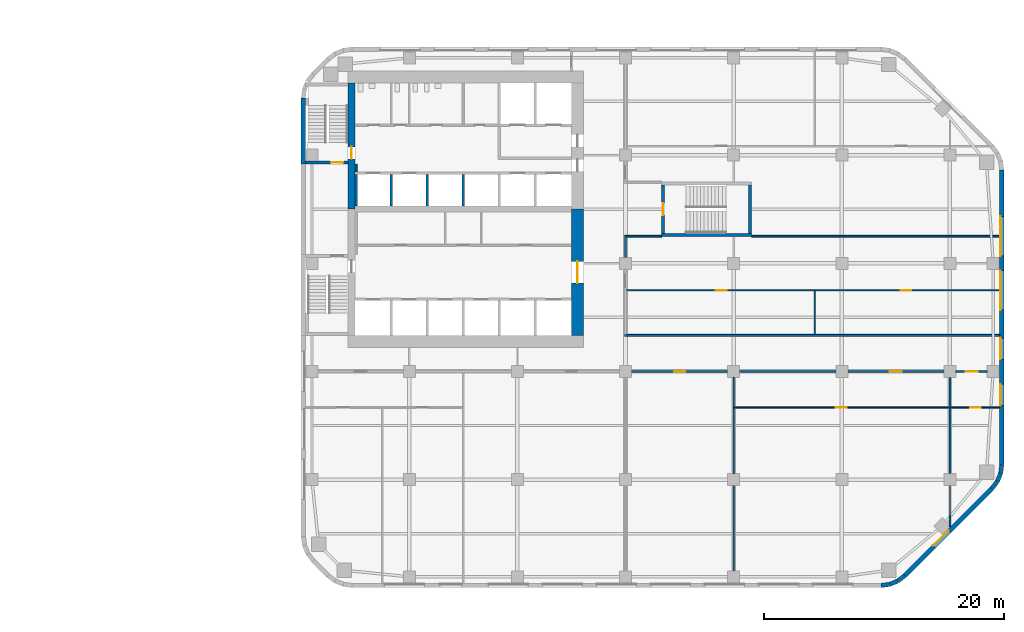
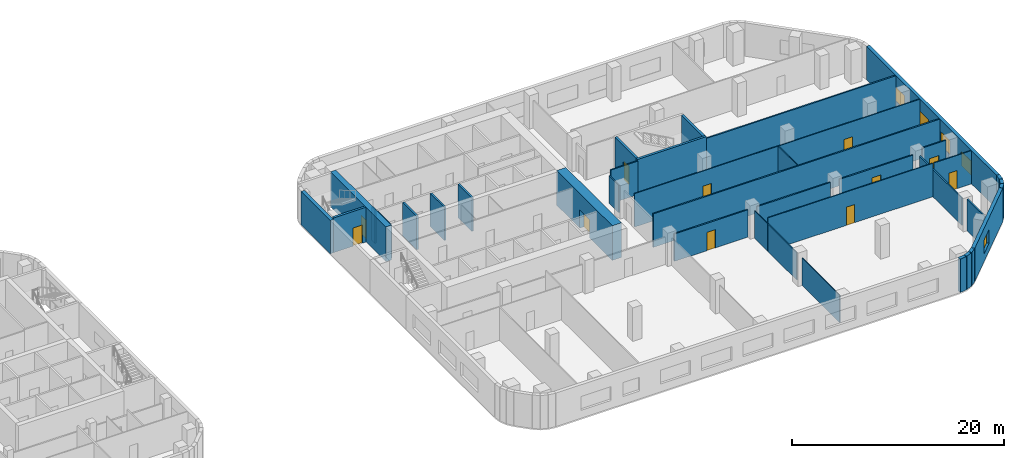
# One storey, part 10 of 16: 37 walls, 11 doors, 5 windows, 16 openings.
"""IFC4 building model written with IfcOpenShell, lengths in metres."""

from ifc_helpers import new_model, si_unit, direction, frame, frame_2d, origin, place, context, subcontext, project, spatial, rectangle, extrude, material, layer, layer_set, type_object, element, fill, save


model = new_model("IFC4")

# Units and contexts
model_context = context("Model", 3, precision=1e-05, world=origin(), true_north=direction((0.0, 1.0)))
body_context = subcontext(model_context, "Body", "Model", "MODEL_VIEW")
ifc_project = project(units=[si_unit("LENGTHUNIT", "METRE"), si_unit("AREAUNIT", "SQUARE_METRE"), si_unit("VOLUMEUNIT", "CUBIC_METRE"), si_unit("PLANEANGLEUNIT", "RADIAN"), si_unit("MASSUNIT", "GRAM", prefix="KILO")], contexts=[model_context])

# Site, building, storey
site_placement = place(None, origin())
site = spatial("IfcSite", under=ifc_project, at=site_placement, CompositionType="ELEMENT")
building_placement = place(site_placement, origin())
building = spatial("IfcBuilding", under=site, at=building_placement, Name="Cinnabar Reach Civic Tower", CompositionType="ELEMENT")
storey_placement = place(building_placement, frame((0.0, 0.0, 79.0)))
storey = spatial("IfcBuildingStorey", under=building, at=storey_placement, Name="L18", CompositionType="ELEMENT", Elevation=79.0)

# Walls
ifc_material_1 = material(Name="Facing brick with insulated backing", Category="masonry")
ifc_layer_1 = layer(ifc_material_1, 0.36)
ifc_layer_set_1 = layer_set([ifc_layer_1], Name="Brick corner wall")
wall_type_1 = type_object("IfcWallType", Name="Brick corner wall", PredefinedType="STANDARD", material=ifc_layer_set_1)
for number, where, z_axis, x_axis, name in (
    (1, (48.2686, 0.183, 0.0), (0.0, 0.0, 1.0), (0.99144092581, 0.13055608231, 0.0), "Brick corner wall"),
    (2, (48.9973, 0.2819, 0.0), (0.0, 0.0, 1.0), (0.923871547278, 0.382702709855, 0.0), "Brick corner wall"),
):
    element("IfcWall", number, at=place(storey_placement, frame(where, z_axis=z_axis, x_axis=x_axis)), inside=storey, type_object=wall_type_1, Name=name, PredefinedType="STANDARD", context=body_context, shape_type="SweptSolid", body=[
        extrude(rectangle(XDim=0.7131, YDim=0.36, at=frame_2d((0.3565, 0.0))), origin(), (0.0, 0.0, 1.0), 3.85),
    ])
for number, where, z_axis, x_axis, name in (
    (3, (49.6755, 0.566, 0.0), (0.0, 0.0, 1.0), (0.793321924995, 0.608802368033, 0.0), "Brick corner wall"),
    (4, (57.4998, 8.2587, 0.0), (0.0, 0.0, 1.0), (0.608802368033, 0.793321924995, 0.0), "Brick corner wall"),
):
    element("IfcWall", number, at=place(storey_placement, frame(where, z_axis=z_axis, x_axis=x_axis)), inside=storey, type_object=wall_type_1, Name=name, PredefinedType="STANDARD", context=body_context, shape_type="SweptSolid", body=[
        extrude(rectangle(XDim=0.7132, YDim=0.36, at=frame_2d((0.3566, 0.0))), origin(), (0.0, 0.0, 1.0), 3.85),
    ])
for number, where, z_axis, x_axis, name in (
    (5, (57.9452, 8.8439, 0.0), (0.0, 0.0, 1.0), (0.382702709855, 0.923871547278, 0.0), "Brick corner wall"),
    (6, (58.2239, 9.5244, 0.0), (0.0, 0.0, 1.0), (0.13055608231, 0.99144092581, 0.0), "Brick corner wall"),
):
    element("IfcWall", number, at=place(storey_placement, frame(where, z_axis=z_axis, x_axis=x_axis)), inside=storey, type_object=wall_type_1, Name=name, PredefinedType="STANDARD", context=body_context, shape_type="SweptSolid", body=[
        extrude(rectangle(XDim=0.7131, YDim=0.36, at=frame_2d((0.3565, 0.0))), origin(), (0.0, 0.0, 1.0), 3.85),
    ])

# Wall, opening, window
ifc_layer_2 = layer(ifc_material_1, 0.36)
ifc_layer_set_2 = layer_set([ifc_layer_2], Name="Brick pier and spandrel wall")
wall_type_2 = type_object("IfcWallType", Name="Brick pier and spandrel wall", PredefinedType="STANDARD", material=ifc_layer_set_2)
wall_1_placement = place(storey_placement, frame((50.2514, 1.006, 0.0), z_axis=(0.0, 0.0, 1.0), x_axis=(0.707106781187, 0.707106781187, 0.0)))
wall_1 = element("IfcWall", 7, at=wall_1_placement, inside=storey, type_object=wall_type_2, Name="Brick facade wall", PredefinedType="STANDARD", context=body_context, shape_type="SweptSolid", body=[
    extrude(rectangle(XDim=10.2426, YDim=0.36, at=frame_2d((5.1213, 0.0))), origin(), (0.0, 0.0, 1.0), 3.85),
])
opening_1_placement = place(wall_1_placement, frame((3.4213, 0.0, 0.9)))
opening_1 = element("IfcOpeningElement", 8, at=opening_1_placement, cuts=wall_1, Name="Opening W1357", PredefinedType="OPENING", context=body_context, shape_type="SweptSolid", body=[
    extrude(rectangle(XDim=1.8, YDim=1.6, at=frame_2d((0.9, 0.8))), frame((0.0, 0.19, 0.0), z_axis=(0.0, -1.0, 0.0), x_axis=(1.0, 0.0, 0.0)), (0.0, 0.0, 1.0), 0.38),
])
ifc_material_2 = material(Name="Clear double glazing in aluminium frame", Category="aluminium")
window_type_1 = type_object("IfcWindowType", Name="Deep-set window D", PartitioningType="SINGLE_PANEL", PredefinedType="WINDOW", material=ifc_material_2)
window_1_placement = place(opening_1_placement, origin())
window_1 = element("IfcWindow", 9, at=window_1_placement, inside=storey, type_object=window_type_1, Name="Window southeast face", OverallHeight=1.6, OverallWidth=1.8, PartitioningType="SINGLE_PANEL", PredefinedType="WINDOW", context=body_context, shape_type="SweptSolid", body=[
    extrude(rectangle(XDim=1.8, YDim=1.6, at=frame_2d((0.9, 0.8))), frame((0.0, 0.13, 0.0), z_axis=(0.0, -1.0, 0.0), x_axis=(1.0, 0.0, 0.0)), (0.0, 0.0, 1.0), 0.06),
])
fill(opening_1, window_1)

# Wall, openings, windows
wall_2_placement = place(storey_placement, frame((58.32, 10.2426, 0.0), z_axis=(0.0, 0.0, 1.0), x_axis=(0.0, 1.0, 0.0)))
wall_2 = element("IfcWall", 10, at=wall_2_placement, inside=storey, type_object=wall_type_2, Name="Brick facade wall", PredefinedType="STANDARD", context=body_context, shape_type="SweptSolid", body=[
    extrude(rectangle(XDim=24.5148, YDim=0.36, at=frame_2d((12.2574, 0.0))), origin(), (0.0, 0.0, 1.0), 3.85),
])
opening_2_placement = place(wall_2_placement, frame((4.9074, 0.0, 0.9)))
opening_2 = element("IfcOpeningElement", 11, at=opening_2_placement, cuts=wall_2, Name="Opening W1358", PredefinedType="OPENING", context=body_context, shape_type="SweptSolid", body=[
    extrude(rectangle(XDim=1.8, YDim=1.6, at=frame_2d((0.9, 0.8))), frame((0.0, 0.19, 0.0), z_axis=(0.0, -1.0, 0.0), x_axis=(1.0, 0.0, 0.0)), (0.0, 0.0, 1.0), 0.38),
])
opening_3_placement = place(wall_2_placement, frame((8.7574, 0.0, 0.9)))
opening_3 = element("IfcOpeningElement", 12, at=opening_3_placement, cuts=wall_2, Name="Opening W1359", PredefinedType="OPENING", context=body_context, shape_type="SweptSolid", body=[
    extrude(rectangle(XDim=1.8, YDim=1.6, at=frame_2d((0.9, 0.8))), frame((0.0, 0.19, 0.0), z_axis=(0.0, -1.0, 0.0), x_axis=(1.0, 0.0, 0.0)), (0.0, 0.0, 1.0), 0.38),
])
opening_4_placement = place(wall_2_placement, frame((12.8574, 0.0, 0.9)))
opening_4 = element("IfcOpeningElement", 13, at=opening_4_placement, cuts=wall_2, Name="Opening W1360", PredefinedType="OPENING", context=body_context, shape_type="SweptSolid", body=[
    extrude(rectangle(XDim=3.3, YDim=1.6, at=frame_2d((1.65, 0.8))), frame((0.0, 0.19, 0.0), z_axis=(0.0, -1.0, 0.0), x_axis=(1.0, 0.0, 0.0)), (0.0, 0.0, 1.0), 0.38),
])
opening_5_placement = place(wall_2_placement, frame((17.3574, 0.0, 0.9)))
opening_5 = element("IfcOpeningElement", 14, at=opening_5_placement, cuts=wall_2, Name="Opening W1361", PredefinedType="OPENING", context=body_context, shape_type="SweptSolid", body=[
    extrude(rectangle(XDim=3.3, YDim=1.6, at=frame_2d((1.65, 0.8))), frame((0.0, 0.19, 0.0), z_axis=(0.0, -1.0, 0.0), x_axis=(1.0, 0.0, 0.0)), (0.0, 0.0, 1.0), 0.38),
])
window_type_2 = type_object("IfcWindowType", Name="Deep-set window A", PartitioningType="SINGLE_PANEL", PredefinedType="WINDOW", material=ifc_material_2)
window_2_placement = place(opening_4_placement, origin())
window_2 = element("IfcWindow", 15, at=window_2_placement, inside=storey, type_object=window_type_2, Name="Window east face", OverallHeight=1.6, OverallWidth=3.3, PartitioningType="SINGLE_PANEL", PredefinedType="WINDOW", context=body_context, shape_type="SweptSolid", body=[
    extrude(rectangle(XDim=3.3, YDim=1.6, at=frame_2d((1.65, 0.8))), frame((0.0, 0.13, 0.0), z_axis=(0.0, -1.0, 0.0), x_axis=(1.0, 0.0, 0.0)), (0.0, 0.0, 1.0), 0.06),
])
fill(opening_4, window_2)
window_3_placement = place(opening_5_placement, origin())
window_3 = element("IfcWindow", 16, at=window_3_placement, inside=storey, type_object=window_type_2, Name="Window east face", OverallHeight=1.6, OverallWidth=3.3, PartitioningType="SINGLE_PANEL", PredefinedType="WINDOW", context=body_context, shape_type="SweptSolid", body=[
    extrude(rectangle(XDim=3.3, YDim=1.6, at=frame_2d((1.65, 0.8))), frame((0.0, 0.13, 0.0), z_axis=(0.0, -1.0, 0.0), x_axis=(1.0, 0.0, 0.0)), (0.0, 0.0, 1.0), 0.06),
])
fill(opening_5, window_3)
window_4_placement = place(opening_2_placement, origin())
window_4 = element("IfcWindow", 17, at=window_4_placement, inside=storey, type_object=window_type_1, Name="Window east face", OverallHeight=1.6, OverallWidth=1.8, PartitioningType="SINGLE_PANEL", PredefinedType="WINDOW", context=body_context, shape_type="SweptSolid", body=[
    extrude(rectangle(XDim=1.8, YDim=1.6, at=frame_2d((0.9, 0.8))), frame((0.0, 0.13, 0.0), z_axis=(0.0, -1.0, 0.0), x_axis=(1.0, 0.0, 0.0)), (0.0, 0.0, 1.0), 0.06),
])
fill(opening_2, window_4)
window_5_placement = place(opening_3_placement, origin())
window_5 = element("IfcWindow", 18, at=window_5_placement, inside=storey, type_object=window_type_1, Name="Window east face", OverallHeight=1.6, OverallWidth=1.8, PartitioningType="SINGLE_PANEL", PredefinedType="WINDOW", context=body_context, shape_type="SweptSolid", body=[
    extrude(rectangle(XDim=1.8, YDim=1.6, at=frame_2d((0.9, 0.8))), frame((0.0, 0.13, 0.0), z_axis=(0.0, -1.0, 0.0), x_axis=(1.0, 0.0, 0.0)), (0.0, 0.0, 1.0), 0.06),
])
fill(opening_3, window_5)

# Wall
wall_3_placement = place(storey_placement, frame((0.18, 40.7574, 0.0), z_axis=(0.0, 0.0, 1.0), x_axis=(0.0, -1.0, 0.0)))
element("IfcWall", 19, at=wall_3_placement, inside=storey, type_object=wall_type_2, Name="Brick facade wall", PredefinedType="STANDARD", context=body_context, shape_type="SweptSolid", body=[
    extrude(rectangle(XDim=5.5074, YDim=0.36, at=frame_2d((2.7537, 0.0))), origin(), (0.0, 0.0, 1.0), 3.85),
])

# Wall, opening, door
ifc_material_3 = material(Name="Concrete C70", Category="concrete")
ifc_layer_3 = layer(ifc_material_3, 1.0)
ifc_layer_set_3 = layer_set([ifc_layer_3], Name="Core wall 1000 EI 180")
wall_type_3 = type_object("IfcWallType", Name="Core wall 1000 EI 180", PredefinedType="SOLIDWALL", material=ifc_layer_set_3)
wall_4_placement = place(storey_placement, frame((23.0, 21.0, 0.0), z_axis=(0.0, 0.0, 1.0), x_axis=(0.0, 1.0, 0.0)))
wall_4 = element("IfcWall", 20, at=wall_4_placement, inside=storey, type_object=wall_type_3, Name="Core wall T1 L18 E", PredefinedType="SOLIDWALL", context=body_context, shape_type="SweptSolid", body=[
    extrude(rectangle(XDim=10.5, YDim=1.0, at=frame_2d((5.25, 0.0))), origin(), (0.0, 0.0, 1.0), 4.0),
])
opening_6_placement = place(wall_4_placement, frame((4.35, 0.0, 0.0)))
opening_6 = element("IfcOpeningElement", 21, at=opening_6_placement, cuts=wall_4, Name="Opening D3726", PredefinedType="OPENING", context=body_context, shape_type="SweptSolid", body=[
    extrude(rectangle(XDim=1.8, YDim=2.1, at=frame_2d((0.9, 1.05))), frame((0.0, 0.51, 0.0), z_axis=(0.0, -1.0, 0.0), x_axis=(1.0, 0.0, 0.0)), (0.0, 0.0, 1.0), 1.02),
])
ifc_material_4 = material(Name="Timber door leaf in steel frame", Category="steel")
door_type_1 = type_object("IfcDoorType", Name="Double swing door 1800 x 2100 T1", OperationType="DOUBLE_DOOR_DOUBLE_SWING", PredefinedType="DOOR", material=ifc_material_4)
door_1_placement = place(opening_6_placement, origin())
door_1 = element("IfcDoor", 22, at=door_1_placement, inside=storey, type_object=door_type_1, Name="Door D3726", OperationType="DOUBLE_DOOR_DOUBLE_SWING", OverallHeight=2.1, OverallWidth=1.8, PredefinedType="DOOR", context=body_context, shape_type="SweptSolid", body=[
    extrude(rectangle(XDim=1.8, YDim=2.1, at=frame_2d((0.9, 1.05))), frame((0.0, 0.025, 0.0), z_axis=(0.0, -1.0, 0.0), x_axis=(1.0, 0.0, 0.0)), (0.0, 0.0, 1.0), 0.05),
])
fill(opening_6, door_1)

ifc_layer_4 = layer(ifc_material_3, 0.6)
ifc_layer_set_4 = layer_set([ifc_layer_4], Name="Core wall 600 EI 180")
wall_type_4 = type_object("IfcWallType", Name="Core wall 600 EI 180", PredefinedType="SOLIDWALL", material=ifc_layer_set_4)
wall_5_placement = place(storey_placement, frame((4.2, 42.0, 0.0), z_axis=(0.0, 0.0, 1.0), x_axis=(0.0, -1.0, 0.0)))
wall_5 = element("IfcWall", 23, at=wall_5_placement, inside=storey, type_object=wall_type_4, Name="Core wall T1 L18 W", PredefinedType="SOLIDWALL", context=body_context, shape_type="SweptSolid", body=[
    extrude(rectangle(XDim=10.5, YDim=0.6, at=frame_2d((5.25, 0.0))), origin(), (0.0, 0.0, 1.0), 4.0),
])
opening_7_placement = place(wall_5_placement, frame((5.3, 0.0, 0.0)))
opening_7 = element("IfcOpeningElement", 24, at=opening_7_placement, cuts=wall_5, Name="Opening D3712", PredefinedType="OPENING", context=body_context, shape_type="SweptSolid", body=[
    extrude(rectangle(XDim=1.0, YDim=2.1, at=frame_2d((0.5, 1.05))), frame((0.0, 0.31, 0.0), z_axis=(0.0, -1.0, 0.0), x_axis=(1.0, 0.0, 0.0)), (0.0, 0.0, 1.0), 0.62),
])
door_type_2 = type_object("IfcDoorType", Name="Stair door 1000 x 2100 T1", OperationType="SINGLE_SWING_LEFT", PredefinedType="DOOR", material=ifc_material_4)
door_2_placement = place(opening_7_placement, frame((1.0, 0.0, 0.0), z_axis=(0.0, 0.0, 1.0), x_axis=(-1.0, 0.0, 0.0)))
door_2 = element("IfcDoor", 25, at=door_2_placement, inside=storey, type_object=door_type_2, Name="Door D3712", OperationType="SINGLE_SWING_LEFT", OverallHeight=2.1, OverallWidth=1.0, PredefinedType="DOOR", context=body_context, shape_type="SweptSolid", body=[
    extrude(rectangle(XDim=1.0, YDim=2.1, at=frame_2d((0.5, 1.05))), frame((0.0, 0.025, 0.0), z_axis=(0.0, -1.0, 0.0), x_axis=(1.0, 0.0, 0.0)), (0.0, 0.0, 1.0), 0.05),
])
fill(opening_7, door_2)

ifc_material_5 = material(Name="Gypsum board on steel studs, double layer", Category="steel")
ifc_layer_5 = layer(ifc_material_5, 0.15)
ifc_layer_set_5 = layer_set([ifc_layer_5], Name="Corridor wall 150 T1")
wall_type_5 = type_object("IfcWallType", Name="Corridor wall 150 T1", PredefinedType="PARTITIONING", material=ifc_layer_set_5)
wall_6_placement = place(storey_placement, frame((54.5, 18.0, 0.0), z_axis=(0.0, 0.0, 1.0), x_axis=(1.0, 0.0, 0.0)))
wall_6 = element("IfcWall", 26, at=wall_6_placement, inside=storey, type_object=wall_type_5, Name="Corridor wall 19", PredefinedType="PARTITIONING", context=body_context, shape_type="SweptSolid", body=[
    extrude(rectangle(XDim=2.6, YDim=0.15, at=frame_2d((1.3, 0.0))), origin(), (0.0, 0.0, 1.0), 3.602),
])
opening_8_placement = place(wall_6_placement, frame((0.8, 0.0, 0.0)))
opening_8 = element("IfcOpeningElement", 27, at=opening_8_placement, cuts=wall_6, Name="Opening D3750", PredefinedType="OPENING", context=body_context, shape_type="SweptSolid", body=[
    extrude(rectangle(XDim=1.0, YDim=2.1, at=frame_2d((0.5, 1.05))), frame((0.0, 0.085, 0.0), z_axis=(0.0, -1.0, 0.0), x_axis=(1.0, 0.0, 0.0)), (0.0, 0.0, 1.0), 0.17),
])
door_type_3 = type_object("IfcDoorType", Name="Tenancy entrance door 1000 x 2100 T1", OperationType="SINGLE_SWING_LEFT", PredefinedType="DOOR", material=ifc_material_4)
door_3_placement = place(opening_8_placement, frame((1.0, 0.0, 0.0), z_axis=(0.0, 0.0, 1.0), x_axis=(-1.0, 0.0, 0.0)))
door_3 = element("IfcDoor", 28, at=door_3_placement, inside=storey, type_object=door_type_3, Name="Door D3750", OperationType="SINGLE_SWING_LEFT", OverallHeight=2.1, OverallWidth=1.0, PredefinedType="DOOR", context=body_context, shape_type="SweptSolid", body=[
    extrude(rectangle(XDim=1.0, YDim=2.1, at=frame_2d((0.5, 1.05))), frame((0.0, 0.025, 0.0), z_axis=(0.0, -1.0, 0.0), x_axis=(1.0, 0.0, 0.0)), (0.0, 0.0, 1.0), 0.05),
])
fill(opening_8, door_3)

wall_7_placement = place(storey_placement, frame((45.5, 18.0, 0.0), z_axis=(0.0, 0.0, 1.0), x_axis=(1.0, 0.0, 0.0)))
wall_7 = element("IfcWall", 29, at=wall_7_placement, inside=storey, type_object=wall_type_5, Name="Corridor wall 20", PredefinedType="PARTITIONING", context=body_context, shape_type="SweptSolid", body=[
    extrude(rectangle(XDim=8.0, YDim=0.15, at=frame_2d((4.0, 0.0))), origin(), (0.0, 0.0, 1.0), 3.15),
])
opening_9_placement = place(wall_7_placement, frame((3.5, 0.0, 0.0)))
opening_9 = element("IfcOpeningElement", 30, at=opening_9_placement, cuts=wall_7, Name="Opening D3748", PredefinedType="OPENING", context=body_context, shape_type="SweptSolid", body=[
    extrude(rectangle(XDim=1.0, YDim=2.1, at=frame_2d((0.5, 1.05))), frame((0.0, 0.085, 0.0), z_axis=(0.0, -1.0, 0.0), x_axis=(1.0, 0.0, 0.0)), (0.0, 0.0, 1.0), 0.17),
])
door_4_placement = place(opening_9_placement, frame((1.0, 0.0, 0.0), z_axis=(0.0, 0.0, 1.0), x_axis=(-1.0, 0.0, 0.0)))
door_4 = element("IfcDoor", 31, at=door_4_placement, inside=storey, type_object=door_type_3, Name="Door D3748", OperationType="SINGLE_SWING_LEFT", OverallHeight=2.1, OverallWidth=1.0, PredefinedType="DOOR", context=body_context, shape_type="SweptSolid", body=[
    extrude(rectangle(XDim=1.0, YDim=2.1, at=frame_2d((0.5, 1.05))), frame((0.0, 0.025, 0.0), z_axis=(0.0, -1.0, 0.0), x_axis=(1.0, 0.0, 0.0)), (0.0, 0.0, 1.0), 0.05),
])
fill(opening_9, door_4)

# Wall
wall_8_placement = place(storey_placement, frame((36.5, 18.0, 0.0), z_axis=(0.0, 0.0, 1.0), x_axis=(1.0, 0.0, 0.0)))
element("IfcWall", 32, at=wall_8_placement, inside=storey, type_object=wall_type_5, Name="Corridor wall 21", PredefinedType="PARTITIONING", context=body_context, shape_type="SweptSolid", body=[
    extrude(rectangle(XDim=8.0, YDim=0.15, at=frame_2d((4.0, 0.0))), origin(), (0.0, 0.0, 1.0), 3.15),
])

# Wall, opening, door
wall_9_placement = place(storey_placement, frame((27.5, 18.0, 0.0), z_axis=(0.0, 0.0, 1.0), x_axis=(1.0, 0.0, 0.0)))
wall_9 = element("IfcWall", 33, at=wall_9_placement, inside=storey, type_object=wall_type_5, Name="Corridor wall 22", PredefinedType="PARTITIONING", context=body_context, shape_type="SweptSolid", body=[
    extrude(rectangle(XDim=8.0, YDim=0.15, at=frame_2d((4.0, 0.0))), origin(), (0.0, 0.0, 1.0), 3.15),
])
opening_10_placement = place(wall_9_placement, frame((3.55, 0.0, 0.0)))
opening_10 = element("IfcOpeningElement", 34, at=opening_10_placement, cuts=wall_9, Name="Opening D3747", PredefinedType="OPENING", context=body_context, shape_type="SweptSolid", body=[
    extrude(rectangle(XDim=0.9, YDim=2.1, at=frame_2d((0.45, 1.05))), frame((0.0, 0.085, 0.0), z_axis=(0.0, -1.0, 0.0), x_axis=(1.0, 0.0, 0.0)), (0.0, 0.0, 1.0), 0.17),
])
door_type_4 = type_object("IfcDoorType", Name="Single swing door 900 x 2100 corridor T1", OperationType="SINGLE_SWING_LEFT", PredefinedType="DOOR", material=ifc_material_4)
door_5_placement = place(opening_10_placement, frame((0.9, 0.0, 0.0), z_axis=(0.0, 0.0, 1.0), x_axis=(-1.0, 0.0, 0.0)))
door_5 = element("IfcDoor", 35, at=door_5_placement, inside=storey, type_object=door_type_4, Name="Door D3747", OperationType="SINGLE_SWING_LEFT", OverallHeight=2.1, OverallWidth=0.9, PredefinedType="DOOR", context=body_context, shape_type="SweptSolid", body=[
    extrude(rectangle(XDim=0.9, YDim=2.1, at=frame_2d((0.45, 1.05))), frame((0.0, 0.025, 0.0), z_axis=(0.0, -1.0, 0.0), x_axis=(1.0, 0.0, 0.0)), (0.0, 0.0, 1.0), 0.05),
])
fill(opening_10, door_5)

# Walls
wall_10_placement = place(storey_placement, frame((26.925, 21.0, 0.0), z_axis=(0.0, 0.0, 1.0), x_axis=(1.0, 0.0, 0.0)))
element("IfcWall", 36, at=wall_10_placement, inside=storey, type_object=wall_type_5, Name="Corridor wall 26", PredefinedType="PARTITIONING", context=body_context, shape_type="SweptSolid", body=[
    extrude(rectangle(XDim=31.215, YDim=0.15, at=frame_2d((15.6075, 0.0))), origin(), (0.0, 0.0, 1.0), 3.85),
])
wall_11_placement = place(storey_placement, frame((27.0, 27.5, 0.0), z_axis=(0.0, 0.0, 1.0), x_axis=(0.0, 1.0, 0.0)))
element("IfcWall", 37, at=wall_11_placement, inside=storey, type_object=wall_type_5, Name="Corridor wall 32", PredefinedType="PARTITIONING", context=body_context, shape_type="SweptSolid", body=[
    extrude(rectangle(XDim=1.825, YDim=0.15, at=frame_2d((0.9125, 0.0))), origin(), (0.0, 0.0, 1.0), 3.158),
])
wall_12_placement = place(storey_placement, frame((27.075, 29.25, 0.0), z_axis=(0.0, 0.0, 1.0), x_axis=(1.0, 0.0, 0.0)))
element("IfcWall", 38, at=wall_12_placement, inside=storey, type_object=wall_type_5, Name="Corridor wall 35", PredefinedType="PARTITIONING", context=body_context, shape_type="SweptSolid", body=[
    extrude(rectangle(XDim=2.925, YDim=0.15, at=frame_2d((1.4625, 0.0))), origin(), (0.0, 0.0, 1.0), 3.85),
])
wall_13_placement = place(storey_placement, frame((4.575, 34.6, 0.0), z_axis=(0.0, 0.0, 1.0), x_axis=(0.0, 1.0, 0.0)))
element("IfcWall", 39, at=wall_13_placement, inside=storey, type_object=wall_type_5, Name="Corridor wall 38", PredefinedType="PARTITIONING", context=body_context, shape_type="SweptSolid", body=[
    extrude(rectangle(XDim=0.65, YDim=0.15, at=frame_2d((0.325, 0.0))), origin(), (0.0, 0.0, 1.0), 3.85),
])
ifc_material_6 = material(Name="Blockwork", Category="masonry")
ifc_layer_6 = layer(ifc_material_6, 0.2)
ifc_layer_set_6 = layer_set([ifc_layer_6], Name="Lift shaft wall 200 T1")
wall_type_6 = type_object("IfcWallType", Name="Lift shaft wall 200 T1", PredefinedType="PARTITIONING", material=ifc_layer_set_6)
for number, where, z_axis, x_axis, name in (
    (40, (4.6, 31.75, 0.0), (0.0, 0.0, 1.0), (0.0, 1.0, 0.0), "Lift shaft wall 8"),
    (41, (7.5, 31.75, 0.0), (0.0, 0.0, 1.0), (0.0, 1.0, 0.0), "Lift shaft wall 10"),
    (42, (10.5, 31.75, 0.0), (0.0, 0.0, 1.0), (0.0, 1.0, 0.0), "Lift shaft wall 12"),
    (43, (13.5, 31.75, 0.0), (0.0, 0.0, 1.0), (0.0, 1.0, 0.0), "Lift shaft wall 14"),
):
    element("IfcWall", number, at=place(storey_placement, frame(where, z_axis=z_axis, x_axis=x_axis)), inside=storey, type_object=wall_type_6, Name=name, PredefinedType="PARTITIONING", context=body_context, shape_type="SweptSolid", body=[
        extrude(rectangle(XDim=2.65, YDim=0.2, at=frame_2d((1.325, 0.0))), origin(), (0.0, 0.0, 1.0), 3.85),
    ])

# Wall, openings, doors
ifc_material_7 = material(Name="Gypsum board on steel studs", Category="steel")
ifc_layer_7 = layer(ifc_material_7, 0.1)
ifc_layer_set_7 = layer_set([ifc_layer_7], Name="Partition wall 100 T1")
wall_type_7 = type_object("IfcWallType", Name="Partition wall 100 T1", PredefinedType="PARTITIONING", material=ifc_layer_set_7)
wall_14_placement = place(storey_placement, frame((27.075, 24.75, 0.0), z_axis=(0.0, 0.0, 1.0), x_axis=(1.0, 0.0, 0.0)))
wall_14 = element("IfcWall", 44, at=wall_14_placement, inside=storey, type_object=wall_type_7, Name="Partition wall 43", PredefinedType="PARTITIONING", context=body_context, shape_type="SweptSolid", body=[
    extrude(rectangle(XDim=31.065, YDim=0.1, at=frame_2d((15.5325, 0.0))), origin(), (0.0, 0.0, 1.0), 3.85),
])
opening_11_placement = place(wall_14_placement, frame((7.45, 0.0, 0.0)))
opening_11 = element("IfcOpeningElement", 45, at=opening_11_placement, cuts=wall_14, Name="Opening D3741", PredefinedType="OPENING", context=body_context, shape_type="SweptSolid", body=[
    extrude(rectangle(XDim=0.9, YDim=2.1, at=frame_2d((0.45, 1.05))), frame((0.0, 0.06, 0.0), z_axis=(0.0, -1.0, 0.0), x_axis=(1.0, 0.0, 0.0)), (0.0, 0.0, 1.0), 0.12),
])
opening_12_placement = place(wall_14_placement, frame((22.825, 0.0, 0.0)))
opening_12 = element("IfcOpeningElement", 46, at=opening_12_placement, cuts=wall_14, Name="Opening D3742", PredefinedType="OPENING", context=body_context, shape_type="SweptSolid", body=[
    extrude(rectangle(XDim=0.9, YDim=2.1, at=frame_2d((0.45, 1.05))), frame((0.0, 0.06, 0.0), z_axis=(0.0, -1.0, 0.0), x_axis=(1.0, 0.0, 0.0)), (0.0, 0.0, 1.0), 0.12),
])
door_type_5 = type_object("IfcDoorType", Name="Single swing door 900 x 2100 T1", OperationType="SINGLE_SWING_LEFT", PredefinedType="DOOR", material=ifc_material_4)
door_6_placement = place(opening_11_placement, frame((0.9, 0.0, 0.0), z_axis=(0.0, 0.0, 1.0), x_axis=(-1.0, 0.0, 0.0)))
door_6 = element("IfcDoor", 47, at=door_6_placement, inside=storey, type_object=door_type_5, Name="Door D3741", OperationType="SINGLE_SWING_RIGHT", OverallHeight=2.1, OverallWidth=0.9, PredefinedType="DOOR", context=body_context, shape_type="SweptSolid", body=[
    extrude(rectangle(XDim=0.9, YDim=2.1, at=frame_2d((0.45, 1.05))), frame((0.0, 0.025, 0.0), z_axis=(0.0, -1.0, 0.0), x_axis=(1.0, 0.0, 0.0)), (0.0, 0.0, 1.0), 0.05),
])
fill(opening_11, door_6)
door_7_placement = place(opening_12_placement, frame((0.9, 0.0, 0.0), z_axis=(0.0, 0.0, 1.0), x_axis=(-1.0, 0.0, 0.0)))
door_7 = element("IfcDoor", 48, at=door_7_placement, inside=storey, type_object=door_type_5, Name="Door D3742", OperationType="SINGLE_SWING_LEFT", OverallHeight=2.1, OverallWidth=0.9, PredefinedType="DOOR", context=body_context, shape_type="SweptSolid", body=[
    extrude(rectangle(XDim=0.9, YDim=2.1, at=frame_2d((0.45, 1.05))), frame((0.0, 0.025, 0.0), z_axis=(0.0, -1.0, 0.0), x_axis=(1.0, 0.0, 0.0)), (0.0, 0.0, 1.0), 0.05),
])
fill(opening_12, door_7)

# Wall, opening, door
wall_15_placement = place(storey_placement, frame((35.95, 15.0, 0.0), z_axis=(0.0, 0.0, 1.0), x_axis=(1.0, 0.0, 0.0)))
wall_15 = element("IfcWall", 49, at=wall_15_placement, inside=storey, type_object=wall_type_7, Name="Partition wall 45", PredefinedType="PARTITIONING", context=body_context, shape_type="SweptSolid", body=[
    extrude(rectangle(XDim=17.975, YDim=0.1, at=frame_2d((8.9875, 0.0))), origin(), (0.0, 0.0, 1.0), 3.85),
])
opening_13_placement = place(wall_15_placement, frame((8.55, 0.0, 0.0)))
opening_13 = element("IfcOpeningElement", 50, at=opening_13_placement, cuts=wall_15, Name="Opening D3749", PredefinedType="OPENING", context=body_context, shape_type="SweptSolid", body=[
    extrude(rectangle(XDim=0.9, YDim=2.1, at=frame_2d((0.45, 1.05))), frame((0.0, 0.06, 0.0), z_axis=(0.0, -1.0, 0.0), x_axis=(1.0, 0.0, 0.0)), (0.0, 0.0, 1.0), 0.12),
])
door_8_placement = place(opening_13_placement, origin())
door_8 = element("IfcDoor", 51, at=door_8_placement, inside=storey, type_object=door_type_5, Name="Door D3749", OperationType="SINGLE_SWING_LEFT", OverallHeight=2.1, OverallWidth=0.9, PredefinedType="DOOR", context=body_context, shape_type="SweptSolid", body=[
    extrude(rectangle(XDim=0.9, YDim=2.1, at=frame_2d((0.45, 1.05))), frame((0.0, 0.025, 0.0), z_axis=(0.0, -1.0, 0.0), x_axis=(1.0, 0.0, 0.0)), (0.0, 0.0, 1.0), 0.05),
])
fill(opening_13, door_8)

wall_16_placement = place(storey_placement, frame((54.075, 15.0, 0.0), z_axis=(0.0, 0.0, 1.0), x_axis=(1.0, 0.0, 0.0)))
wall_16 = element("IfcWall", 52, at=wall_16_placement, inside=storey, type_object=wall_type_7, Name="Partition wall 46", PredefinedType="PARTITIONING", context=body_context, shape_type="SweptSolid", body=[
    extrude(rectangle(XDim=4.065, YDim=0.1, at=frame_2d((2.0325, 0.0))), origin(), (0.0, 0.0, 1.0), 3.85),
])
opening_14_placement = place(wall_16_placement, frame((1.6, 0.0, 0.0)))
opening_14 = element("IfcOpeningElement", 53, at=opening_14_placement, cuts=wall_16, Name="Opening D3751", PredefinedType="OPENING", context=body_context, shape_type="SweptSolid", body=[
    extrude(rectangle(XDim=0.9, YDim=2.1, at=frame_2d((0.45, 1.05))), frame((0.0, 0.06, 0.0), z_axis=(0.0, -1.0, 0.0), x_axis=(1.0, 0.0, 0.0)), (0.0, 0.0, 1.0), 0.12),
])
door_9_placement = place(opening_14_placement, origin())
door_9 = element("IfcDoor", 54, at=door_9_placement, inside=storey, type_object=door_type_5, Name="Door D3751", OperationType="SINGLE_SWING_LEFT", OverallHeight=2.1, OverallWidth=0.9, PredefinedType="DOOR", context=body_context, shape_type="SweptSolid", body=[
    extrude(rectangle(XDim=0.9, YDim=2.1, at=frame_2d((0.45, 1.05))), frame((0.0, 0.025, 0.0), z_axis=(0.0, -1.0, 0.0), x_axis=(1.0, 0.0, 0.0)), (0.0, 0.0, 1.0), 0.05),
])
fill(opening_14, door_9)

# Walls
wall_17_placement = place(storey_placement, frame((36.0, 1.4, 0.0), z_axis=(0.0, 0.0, 1.0), x_axis=(0.0, 1.0, 0.0)))
element("IfcWall", 55, at=wall_17_placement, inside=storey, type_object=wall_type_7, Name="Partition wall 50", PredefinedType="PARTITIONING", context=body_context, shape_type="SweptSolid", body=[
    extrude(rectangle(XDim=7.1, YDim=0.1, at=frame_2d((3.55, 0.0))), origin(), (0.0, 0.0, 1.0), 3.158),
])
wall_18_placement = place(storey_placement, frame((36.0, 15.05, 0.0), z_axis=(0.0, 0.0, 1.0), x_axis=(0.0, 1.0, 0.0)))
element("IfcWall", 56, at=wall_18_placement, inside=storey, type_object=wall_type_7, Name="Partition wall 51", PredefinedType="PARTITIONING", context=body_context, shape_type="SweptSolid", body=[
    extrude(rectangle(XDim=2.45, YDim=0.1, at=frame_2d((1.225, 0.0))), origin(), (0.0, 0.0, 1.0), 3.158),
])
wall_19_placement = place(storey_placement, frame((36.0, 9.5, 0.0), z_axis=(0.0, 0.0, 1.0), x_axis=(0.0, 1.0, 0.0)))
element("IfcWall", 57, at=wall_19_placement, inside=storey, type_object=wall_type_7, Name="Partition wall 52", PredefinedType="PARTITIONING", context=body_context, shape_type="SweptSolid", body=[
    extrude(rectangle(XDim=5.45, YDim=0.1, at=frame_2d((2.725, 0.0))), origin(), (0.0, 0.0, 1.0), 3.158),
])
wall_20_placement = place(storey_placement, frame((42.75, 21.075, 0.0), z_axis=(0.0, 0.0, 1.0), x_axis=(0.0, 1.0, 0.0)))
element("IfcWall", 58, at=wall_20_placement, inside=storey, type_object=wall_type_7, Name="Partition wall 57", PredefinedType="PARTITIONING", context=body_context, shape_type="SweptSolid", body=[
    extrude(rectangle(XDim=3.625, YDim=0.1, at=frame_2d((1.8125, 0.0))), origin(), (0.0, 0.0, 1.0), 3.85),
])

# Wall, opening, door
ifc_material_8 = material(Name="Concrete C60", Category="concrete")
ifc_layer_8 = layer(ifc_material_8, 0.25)
ifc_layer_set_8 = layer_set([ifc_layer_8], Name="Stair shaft wall 250 EI 120")
wall_type_8 = type_object("IfcWallType", Name="Stair shaft wall 250 EI 120", PredefinedType="SOLIDWALL", material=ifc_layer_set_8)
wall_21_placement = place(storey_placement, frame((0.36, 35.375, 0.0), z_axis=(0.0, 0.0, 1.0), x_axis=(1.0, 0.0, 0.0)))
wall_21 = element("IfcWall", 59, at=wall_21_placement, inside=storey, type_object=wall_type_8, Name="Stair shaft wall T1-S2 L18", PredefinedType="SOLIDWALL", context=body_context, shape_type="SweptSolid", body=[
    extrude(rectangle(XDim=3.54, YDim=0.25, at=frame_2d((1.77, 0.0))), origin(), (0.0, 0.0, 1.0), 4.0),
])
opening_15_placement = place(wall_21_placement, frame((2.14, 0.0, 0.0)))
opening_15 = element("IfcOpeningElement", 60, at=opening_15_placement, cuts=wall_21, Name="Opening D3713", PredefinedType="OPENING", context=body_context, shape_type="SweptSolid", body=[
    extrude(rectangle(XDim=1.0, YDim=2.1, at=frame_2d((0.5, 1.05))), frame((0.0, 0.135, 0.0), z_axis=(0.0, -1.0, 0.0), x_axis=(1.0, 0.0, 0.0)), (0.0, 0.0, 1.0), 0.27),
])
door_10_placement = place(opening_15_placement, origin())
door_10 = element("IfcDoor", 61, at=door_10_placement, inside=storey, type_object=door_type_2, Name="Door D3713", OperationType="SINGLE_SWING_RIGHT", OverallHeight=2.1, OverallWidth=1.0, PredefinedType="DOOR", context=body_context, shape_type="SweptSolid", body=[
    extrude(rectangle(XDim=1.0, YDim=2.1, at=frame_2d((0.5, 1.05))), frame((0.0, 0.025, 0.0), z_axis=(0.0, -1.0, 0.0), x_axis=(1.0, 0.0, 0.0)), (0.0, 0.0, 1.0), 0.05),
])
fill(opening_15, door_10)

# Walls
wall_22_placement = place(storey_placement, frame((30.0, 29.375, 0.0), z_axis=(0.0, 0.0, 1.0), x_axis=(1.0, 0.0, 0.0)))
element("IfcWall", 62, at=wall_22_placement, inside=storey, type_object=wall_type_8, Name="Stair shaft wall T1-S3 L18", PredefinedType="SOLIDWALL", context=body_context, shape_type="SweptSolid", body=[
    extrude(rectangle(XDim=7.5, YDim=0.25, at=frame_2d((3.75, 0.0))), origin(), (0.0, 0.0, 1.0), 4.0),
])
wall_23_placement = place(storey_placement, frame((37.375, 29.5, 0.0), z_axis=(0.0, 0.0, 1.0), x_axis=(0.0, 1.0, 0.0)))
element("IfcWall", 63, at=wall_23_placement, inside=storey, type_object=wall_type_8, Name="Stair shaft wall T1-S3 L18", PredefinedType="SOLIDWALL", context=body_context, shape_type="SweptSolid", body=[
    extrude(rectangle(XDim=4.0, YDim=0.25, at=frame_2d((2.0, 0.0))), origin(), (0.0, 0.0, 1.0), 4.0),
])

# Wall, opening, door
wall_24_placement = place(storey_placement, frame((30.125, 33.5, 0.0), z_axis=(0.0, 0.0, 1.0), x_axis=(0.0, -1.0, 0.0)))
wall_24 = element("IfcWall", 64, at=wall_24_placement, inside=storey, type_object=wall_type_8, Name="Stair shaft wall T1-S3 L18", PredefinedType="SOLIDWALL", context=body_context, shape_type="SweptSolid", body=[
    extrude(rectangle(XDim=4.0, YDim=0.25, at=frame_2d((2.0, 0.0))), origin(), (0.0, 0.0, 1.0), 4.0),
])
opening_16_placement = place(wall_24_placement, frame((1.5, 0.0, 0.0)))
opening_16 = element("IfcOpeningElement", 65, at=opening_16_placement, cuts=wall_24, Name="Opening D3729", PredefinedType="OPENING", context=body_context, shape_type="SweptSolid", body=[
    extrude(rectangle(XDim=1.0, YDim=2.1, at=frame_2d((0.5, 1.05))), frame((0.0, 0.135, 0.0), z_axis=(0.0, -1.0, 0.0), x_axis=(1.0, 0.0, 0.0)), (0.0, 0.0, 1.0), 0.27),
])
door_11_placement = place(opening_16_placement, origin())
door_11 = element("IfcDoor", 66, at=door_11_placement, inside=storey, type_object=door_type_2, Name="Door D3729", OperationType="SINGLE_SWING_RIGHT", OverallHeight=2.1, OverallWidth=1.0, PredefinedType="DOOR", context=body_context, shape_type="SweptSolid", body=[
    extrude(rectangle(XDim=1.0, YDim=2.1, at=frame_2d((0.5, 1.05))), frame((0.0, 0.025, 0.0), z_axis=(0.0, -1.0, 0.0), x_axis=(1.0, 0.0, 0.0)), (0.0, 0.0, 1.0), 0.05),
])
fill(opening_16, door_11)

# Walls
ifc_layer_9 = layer(ifc_material_5, 0.15)
ifc_layer_set_9 = layer_set([ifc_layer_9], Name="Tenancy separating wall 150 T1")
wall_type_9 = type_object("IfcWallType", Name="Tenancy separating wall 150 T1", PredefinedType="PARTITIONING", material=ifc_layer_set_9)
wall_25_placement = place(storey_placement, frame((37.5, 29.25, 0.0), z_axis=(0.0, 0.0, 1.0), x_axis=(1.0, 0.0, 0.0)))
element("IfcWall", 67, at=wall_25_placement, inside=storey, type_object=wall_type_9, Name="Tenancy separating wall 40", PredefinedType="PARTITIONING", context=body_context, shape_type="SweptSolid", body=[
    extrude(rectangle(XDim=20.64, YDim=0.15, at=frame_2d((10.32, 0.0))), origin(), (0.0, 0.0, 1.0), 3.85),
])
wall_26_placement = place(storey_placement, frame((54.0, 5.084, 0.0), z_axis=(0.0, 0.0, 1.0), x_axis=(0.0, 1.0, 0.0)))
element("IfcWall", 68, at=wall_26_placement, inside=storey, type_object=wall_type_9, Name="Tenancy separating wall 41", PredefinedType="PARTITIONING", context=body_context, shape_type="SweptSolid", body=[
    extrude(rectangle(XDim=3.416, YDim=0.15, at=frame_2d((1.708, 0.0))), origin(), (0.0, 0.0, 1.0), 3.652),
])
wall_27_placement = place(storey_placement, frame((54.0, 9.5, 0.0), z_axis=(0.0, 0.0, 1.0), x_axis=(0.0, 1.0, 0.0)))
element("IfcWall", 69, at=wall_27_placement, inside=storey, type_object=wall_type_9, Name="Tenancy separating wall 42", PredefinedType="PARTITIONING", context=body_context, shape_type="SweptSolid", body=[
    extrude(rectangle(XDim=8.0, YDim=0.15, at=frame_2d((4.0, 0.0))), origin(), (0.0, 0.0, 1.0), 3.158),
])

save(model, "model.ifc")
